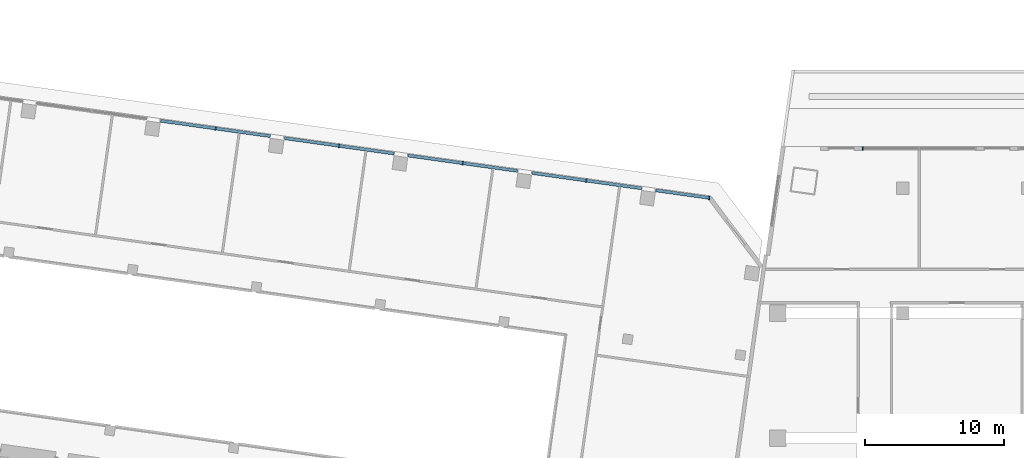
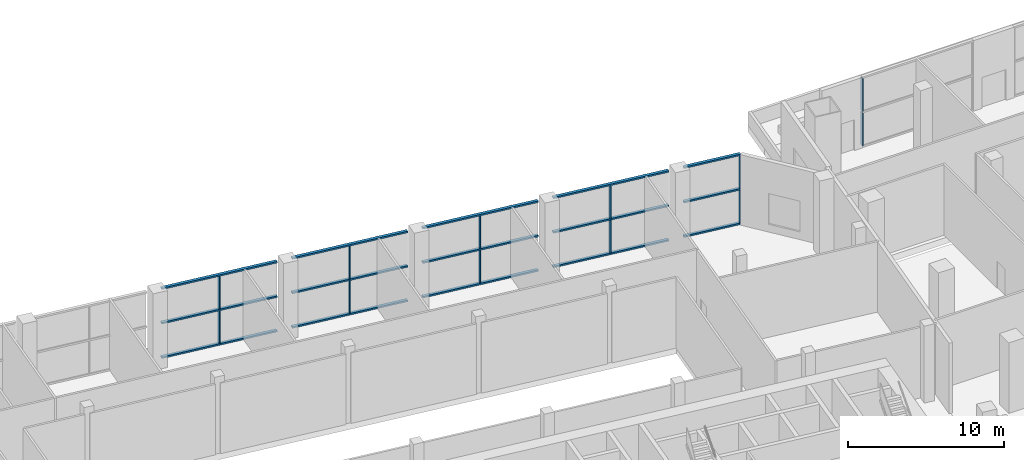
# One storey, part 3 of 24: 27 members, 2 elements without a shape of their own.
"""IFC4 building model written with IfcOpenShell, lengths in metres."""

import ifcopenshell
import ifcopenshell.guid

model = None  # the IFC model being written
_history = None  # IfcOwnerHistory: only IFC2X3 demands one
_inside = {}  # id of a spatial element -> (the spatial element, [elements in it])
_under = {}  # id of a project, library or spatial element -> (it, [spatial elements below it])
_declared = {}  # id of a project -> (the project, [libraries it declares])
_typed = {}  # id of a type object -> (the type object, [elements of that type])
_made_of = {}  # id of a material, layer set ... -> (it, [elements and type objects made of it])


def new_model(schema):
    """Start an empty IFC model of exactly this schema.

    Asked for "IFC4X3", IfcOpenShell would pick the latest addendum, in which some entities
    have other attributes; the version numbers below select the first issue.
    IFC2X3 requires an IfcOwnerHistory on every rooted entity: one is made here for all.
    """
    global model, _history
    if schema == "IFC4X3":
        model = ifcopenshell.file(schema_version=(4, 3, 0, 0))
    else:
        model = ifcopenshell.file(schema=schema)
    _inside.clear()
    _under.clear()
    _declared.clear()
    _typed.clear()
    _made_of.clear()
    _history = None
    if model.schema == "IFC2X3":
        org = make("IfcOrganization", Name="unknown")
        user = make(
            "IfcPersonAndOrganization",
            ThePerson=make("IfcPerson", FamilyName="unknown"),
            TheOrganization=org,
        )
        app = make(
            "IfcApplication",
            ApplicationDeveloper=org,
            Version="unknown",
            ApplicationFullName="unknown",
            ApplicationIdentifier="unknown",
        )
        _history = make(
            "IfcOwnerHistory",
            OwningUser=user,
            OwningApplication=app,
            ChangeAction="ADDED",
            CreationDate=0,
        )
    return model


def make(cls, **values):
    """One entity of the class cls with the attributes given. An attribute that is None is left unset."""
    return model.create_entity(
        cls, **{name: value for name, value in values.items() if value is not None}
    )


def rooted(cls, **values):
    """An entity with a GlobalId (a new one), such as an element, a storey or a relation."""
    return make(cls, GlobalId=ifcopenshell.guid.new(), OwnerHistory=_history, **values)


def si_unit(unit_type, name, prefix=None):
    """IfcSIUnit, for example si_unit("LENGTHUNIT", "METRE", prefix="MILLI")."""
    return make("IfcSIUnit", UnitType=unit_type, Prefix=prefix, Name=name)


def assignment(units):
    """IfcUnitAssignment: the units of a project."""
    return None if units is None else make("IfcUnitAssignment", Units=units)


def point(xyz):
    """IfcCartesianPoint."""
    return None if xyz is None else make("IfcCartesianPoint", Coordinates=xyz)


def direction(xyz):
    """IfcDirection."""
    return None if xyz is None else make("IfcDirection", DirectionRatios=xyz)


def frame(location, z_axis=None, x_axis=None):
    """IfcAxis2Placement3D, a coordinate frame: its origin and axes. An axis left out is left unset."""
    return make(
        "IfcAxis2Placement3D",
        Location=point(location),
        Axis=direction(z_axis),
        RefDirection=direction(x_axis),
    )


def frame_2d(location, x_axis=None):
    """IfcAxis2Placement2D, a coordinate frame in the plane: its origin and x axis."""
    return make(
        "IfcAxis2Placement2D", Location=point(location), RefDirection=direction(x_axis)
    )


def origin():
    """The frame at (0, 0, 0) with its axes left unset."""
    return frame((0.0, 0.0, 0.0))


def origin_2d():
    """The frame at (0, 0) in the plane with its x axis left unset."""
    return frame_2d((0.0, 0.0))


def place(relative_to, where):
    """IfcLocalPlacement: puts the frame where relative to a parent placement (None: the world)."""
    return make(
        "IfcLocalPlacement", PlacementRelTo=relative_to, RelativePlacement=where
    )


def context(
    kind, dimensions, precision=None, world=None, true_north=None, identifier=None
):
    """IfcGeometricRepresentationContext, for example the 3D "Model" context."""
    return make(
        "IfcGeometricRepresentationContext",
        ContextIdentifier=identifier,
        ContextType=kind,
        CoordinateSpaceDimension=dimensions,
        Precision=precision,
        WorldCoordinateSystem=world,
        TrueNorth=true_north,
    )


def subcontext(parent, identifier, kind, view, scale=None):
    """IfcGeometricRepresentationSubContext, for example "Body" below "Model"."""
    return make(
        "IfcGeometricRepresentationSubContext",
        ContextIdentifier=identifier,
        ContextType=kind,
        ParentContext=parent,
        TargetScale=scale,
        TargetView=view,
    )


def project(units=None, contexts=None):
    """IfcProject with its units and contexts."""
    return rooted(
        "IfcProject",
        Name="project",
        RepresentationContexts=contexts,
        UnitsInContext=assignment(units),
    )


def spatial(cls, under=None, at=None, **own):
    """A site, building, storey or space (cls), placed at a placement, below another one or the project."""
    s = rooted(cls, ObjectPlacement=at, **own)
    if under is not None:
        _under.setdefault(under.id(), (under, []))[1].append(s)
    return s


def profile(cls, at=None, kind="AREA", **sizes):
    """A parametric profile (cls). Its sizes go by their IFC names, for example OverallWidth=200.0."""
    return make(cls, ProfileType=kind, Position=at, **sizes)


def rectangle(**sizes):
    """IfcRectangleProfileDef."""
    return profile("IfcRectangleProfileDef", **sizes)


def extrude(swept, where, along, depth):
    """IfcExtrudedAreaSolid: the profile swept, set in the frame where, extruded along a direction by depth."""
    return make(
        "IfcExtrudedAreaSolid",
        SweptArea=swept,
        Position=where,
        ExtrudedDirection=direction(along),
        Depth=depth,
    )


def shape(context_of_items, identifier, shape_type, items):
    """IfcShapeRepresentation: the items that make up one representation, for example the "Body"."""
    return make(
        "IfcShapeRepresentation",
        ContextOfItems=context_of_items,
        RepresentationIdentifier=identifier,
        RepresentationType=shape_type,
        Items=items,
    )


def material(Name=None, Category=None):
    """IfcMaterial."""
    return make("IfcMaterial", Name=Name, Category=Category)


def material_profile(
    of_material, cross_section, Name=None, Category=None, Priority=None
):
    """IfcMaterialProfile: a cross section and its material."""
    return make(
        "IfcMaterialProfile",
        Name=Name,
        Material=of_material,
        Profile=cross_section,
        Priority=Priority,
        Category=Category,
    )


def profile_set(profiles, Name=None, composite=None):
    """IfcMaterialProfileSet."""
    return make(
        "IfcMaterialProfileSet",
        Name=Name,
        MaterialProfiles=profiles,
        CompositeProfile=composite,
    )


def made_of(thing, what):
    """Note that an element or type object is made of a material, layer set ...; save() writes the relation."""
    if what is not None:
        _made_of.setdefault(what.id(), (what, []))[1].append(thing)
    return thing


def type_object(cls, material=None, **own):
    """A type object (cls), such as IfcWallType, which elements share."""
    return made_of(rooted(cls, **own), material)


def element(
    cls,
    number,
    at=None,
    inside=None,
    cuts=None,
    type_object=None,
    material=None,
    context=None,
    identifier="Body",
    shape_type=None,
    held_by="IfcProductDefinitionShape",
    body=None,
    shapes=None,
    **own,
):
    """One element of the class cls, such as IfcWall. Its Tag is "e" and its number.

    at: its placement. inside: the storey or other place that contains it. cuts: it is an
    opening in that element (IfcRelVoidsElement). A single representation is given by context,
    identifier, shape_type and body (its items); several are given by shapes. held_by: the class
    of the entity that holds the representations. save() writes the other relations.
    """
    e = rooted(cls, Tag="e%d" % number, ObjectPlacement=at, **own)
    if body is not None:
        shapes = [shape(context, identifier, shape_type, body)]
    if shapes is not None:
        e.Representation = make(held_by, Representations=shapes)
    if inside is not None:
        _inside.setdefault(inside.id(), (inside, []))[1].append(e)
    if cuts is not None:
        rooted(
            "IfcRelVoidsElement", RelatingBuildingElement=cuts, RelatedOpeningElement=e
        )
    if type_object is not None:
        _typed.setdefault(type_object.id(), (type_object, []))[1].append(e)
    return made_of(e, material)


def aggregate(whole, parts):
    """IfcRelAggregates: a whole, such as a stair, and the parts it consists of."""
    return rooted("IfcRelAggregates", RelatingObject=whole, RelatedObjects=parts)


def save(model, path):
    """Write the relations noted so far, then the file.

    IfcRelAggregates (storeys below a building ...), IfcRelContainedInSpatialStructure (elements
    in a storey), IfcRelDefinesByType, IfcRelAssociatesMaterial and IfcRelDeclares: one each for
    every whole, place, type object, material and project.
    """
    for whole, parts in _under.values():
        aggregate(whole, parts)
    for where, things in _inside.values():
        rooted(
            "IfcRelContainedInSpatialStructure",
            RelatedElements=things,
            RelatingStructure=where,
        )
    for kind, things in _typed.values():
        rooted("IfcRelDefinesByType", RelatedObjects=things, RelatingType=kind)
    for what, things in _made_of.values():
        rooted("IfcRelAssociatesMaterial", RelatedObjects=things, RelatingMaterial=what)
    for by, libraries in _declared.values():
        rooted("IfcRelDeclares", RelatingContext=by, RelatedDefinitions=libraries)
    model.write(path)


model = new_model("IFC4")

# Units and contexts
model_context = context("Model", 3, precision=1e-05, world=origin(), true_north=direction((0.0, 1.0)))
body_context = subcontext(model_context, "Body", "Model", "MODEL_VIEW")
ifc_project = project(units=[si_unit("LENGTHUNIT", "METRE"), si_unit("AREAUNIT", "SQUARE_METRE"), si_unit("VOLUMEUNIT", "CUBIC_METRE"), si_unit("PLANEANGLEUNIT", "RADIAN"), si_unit("MASSUNIT", "GRAM", prefix="KILO")], contexts=[model_context])

# Site, building, storey
site_placement = place(None, origin())
site = spatial("IfcSite", under=ifc_project, at=site_placement, CompositionType="ELEMENT")
building_placement = place(site_placement, origin())
building = spatial("IfcBuilding", under=site, at=building_placement, Name="Mirante Cascada Hotel Towers", CompositionType="ELEMENT")
storey_placement = place(building_placement, frame((0.0, 0.0, 17.5)))
storey = spatial("IfcBuildingStorey", under=building, at=storey_placement, Name="L02", CompositionType="ELEMENT", Elevation=17.5)

# Curtain wall, members
ifc_material_1 = material(Name="Aluminium mullion and transom frame with clear laminated glass", Category="aluminium")
curtain_wall_type = type_object("IfcCurtainWallType", Name="Podium curtain wall ECW3", PredefinedType="NOTDEFINED", material=ifc_material_1)
curtain_wall_1_placement = place(storey_placement, origin())
curtain_wall_1 = element("IfcCurtainWall", 1, at=curtain_wall_1_placement, inside=storey, type_object=curtain_wall_type, Name="Front podium glazing T1 L02", PredefinedType="NOTDEFINED")
ifc_material_2 = material(Name="Anodised aluminium extrusion", Category="aluminium")
ifc_material_profile_1 = material_profile(ifc_material_2, rectangle(XDim=0.26, YDim=0.08, at=origin_2d()), Name="ECW3 MULLION 80x260")
ifc_profile_set_1 = profile_set([ifc_material_profile_1], Name="Anodised aluminium extrusion")
member_type_1 = type_object("IfcMemberType", Name="ECW3 mullion 80x260", PredefinedType="MULLION", material=ifc_profile_set_1)
member_1_placement = place(storey_placement, frame((-67.4737, 22.3018, 0.12), z_axis=(0.0, 0.0, 1.0), x_axis=(0.1391731, 0.9902681, 0.0)))
member_1 = element("IfcMember", 2, at=member_1_placement, type_object=member_type_1, Name="ECW3 mullion 7", PredefinedType="MULLION", context=body_context, shape_type="SweptSolid", body=[
    extrude(rectangle(XDim=0.26, YDim=0.08, at=origin_2d()), origin(), (0.0, 0.0, 1.0), 2.57),
])
member_2_placement = place(storey_placement, frame((-67.4737, 22.3018, 2.81), z_axis=(0.0, 0.0, 1.0), x_axis=(0.1391731, 0.9902681, 0.0)))
member_2 = element("IfcMember", 3, at=member_2_placement, type_object=member_type_1, Name="ECW3 mullion 7", PredefinedType="MULLION", context=body_context, shape_type="SweptSolid", body=[
    extrude(rectangle(XDim=0.26, YDim=0.08, at=origin_2d()), origin(), (0.0, 0.0, 1.0), 2.57),
])
member_3_placement = place(storey_placement, frame((-58.5788, 21.0517, 0.12), z_axis=(0.0, 0.0, 1.0), x_axis=(0.1391731, 0.9902681, 0.0)))
member_3 = element("IfcMember", 4, at=member_3_placement, type_object=member_type_1, Name="ECW3 mullion 9", PredefinedType="MULLION", context=body_context, shape_type="SweptSolid", body=[
    extrude(rectangle(XDim=0.26, YDim=0.08, at=origin_2d()), origin(), (0.0, 0.0, 1.0), 2.57),
])
member_4_placement = place(storey_placement, frame((-58.5788, 21.0517, 2.81), z_axis=(0.0, 0.0, 1.0), x_axis=(0.1391731, 0.9902681, 0.0)))
member_4 = element("IfcMember", 5, at=member_4_placement, type_object=member_type_1, Name="ECW3 mullion 9", PredefinedType="MULLION", context=body_context, shape_type="SweptSolid", body=[
    extrude(rectangle(XDim=0.26, YDim=0.08, at=origin_2d()), origin(), (0.0, 0.0, 1.0), 2.57),
])
member_5_placement = place(storey_placement, frame((-49.684, 19.8017, 0.12), z_axis=(0.0, 0.0, 1.0), x_axis=(0.1391731, 0.9902681, 0.0)))
member_5 = element("IfcMember", 6, at=member_5_placement, type_object=member_type_1, Name="ECW3 mullion 11", PredefinedType="MULLION", context=body_context, shape_type="SweptSolid", body=[
    extrude(rectangle(XDim=0.26, YDim=0.08, at=origin_2d()), origin(), (0.0, 0.0, 1.0), 2.57),
])
member_6_placement = place(storey_placement, frame((-49.684, 19.8017, 2.81), z_axis=(0.0, 0.0, 1.0), x_axis=(0.1391731, 0.9902681, 0.0)))
member_6 = element("IfcMember", 7, at=member_6_placement, type_object=member_type_1, Name="ECW3 mullion 11", PredefinedType="MULLION", context=body_context, shape_type="SweptSolid", body=[
    extrude(rectangle(XDim=0.26, YDim=0.08, at=origin_2d()), origin(), (0.0, 0.0, 1.0), 2.57),
])
member_7_placement = place(storey_placement, frame((-40.7892, 18.5516, 0.12), z_axis=(0.0, 0.0, 1.0), x_axis=(0.1391731, 0.9902681, 0.0)))
member_7 = element("IfcMember", 8, at=member_7_placement, type_object=member_type_1, Name="ECW3 mullion 13", PredefinedType="MULLION", context=body_context, shape_type="SweptSolid", body=[
    extrude(rectangle(XDim=0.26, YDim=0.08, at=origin_2d()), origin(), (0.0, 0.0, 1.0), 2.57),
])
member_8_placement = place(storey_placement, frame((-40.7892, 18.5516, 2.81), z_axis=(0.0, 0.0, 1.0), x_axis=(0.1391731, 0.9902681, 0.0)))
member_8 = element("IfcMember", 9, at=member_8_placement, type_object=member_type_1, Name="ECW3 mullion 13", PredefinedType="MULLION", context=body_context, shape_type="SweptSolid", body=[
    extrude(rectangle(XDim=0.26, YDim=0.08, at=origin_2d()), origin(), (0.0, 0.0, 1.0), 2.57),
])
member_9_placement = place(storey_placement, frame((-31.9339, 17.307, 0.12), z_axis=(0.0, 0.0, 1.0), x_axis=(0.1391731, 0.9902681, 0.0)))
member_9 = element("IfcMember", 10, at=member_9_placement, type_object=member_type_1, Name="ECW3 mullion 15", PredefinedType="MULLION", context=body_context, shape_type="SweptSolid", body=[
    extrude(rectangle(XDim=0.26, YDim=0.08, at=origin_2d()), origin(), (0.0, 0.0, 1.0), 2.57),
])
member_10_placement = place(storey_placement, frame((-31.9339, 17.307, 2.81), z_axis=(0.0, 0.0, 1.0), x_axis=(0.1391731, 0.9902681, 0.0)))
member_10 = element("IfcMember", 11, at=member_10_placement, type_object=member_type_1, Name="ECW3 mullion 15", PredefinedType="MULLION", context=body_context, shape_type="SweptSolid", body=[
    extrude(rectangle(XDim=0.26, YDim=0.08, at=origin_2d()), origin(), (0.0, 0.0, 1.0), 2.57),
])

curtain_wall_2_placement = place(storey_placement, origin())
curtain_wall_2 = element("IfcCurtainWall", 12, at=curtain_wall_2_placement, inside=storey, type_object=curtain_wall_type, Name="Podium curtain wall L02 run 4.8", PredefinedType="NOTDEFINED")
member_11_placement = place(storey_placement, frame((-20.869, 20.85, 0.12), z_axis=(0.0, 0.0, 1.0), x_axis=(0.0, -1.0, 0.0)))
member_11 = element("IfcMember", 13, at=member_11_placement, type_object=member_type_1, Name="ECW3 mullion 3", PredefinedType="MULLION", context=body_context, shape_type="SweptSolid", body=[
    extrude(rectangle(XDim=0.26, YDim=0.08, at=origin_2d()), origin(), (0.0, 0.0, 1.0), 2.57),
])
member_12_placement = place(storey_placement, frame((-20.869, 20.85, 2.81), z_axis=(0.0, 0.0, 1.0), x_axis=(0.0, -1.0, 0.0)))
member_12 = element("IfcMember", 14, at=member_12_placement, type_object=member_type_1, Name="ECW3 mullion 3", PredefinedType="MULLION", context=body_context, shape_type="SweptSolid", body=[
    extrude(rectangle(XDim=0.26, YDim=0.08, at=origin_2d()), origin(), (0.0, 0.0, 1.0), 2.57),
])
aggregate(curtain_wall_2, [member_11, member_12])

# Member
ifc_material_3 = material(Name="Anodised aluminium extrusion", Category="aluminium")
ifc_material_profile_2 = material_profile(ifc_material_3, rectangle(XDim=0.22, YDim=0.12, at=origin_2d()), Name="ECW3 TRANSOM 120x220")
ifc_profile_set_2 = profile_set([ifc_material_profile_2], Name="Anodised aluminium extrusion")
member_type_2 = type_object("IfcMemberType", Name="ECW3 transom 120x220", PredefinedType="USERDEFINED", material=ifc_profile_set_2)
member_13_placement = place(storey_placement, frame((-71.4237, 22.857, 0.06), z_axis=(0.9902683, -0.1391715, 0.0), x_axis=(0.1391715, 0.9902683, 0.0)))
member_13 = element("IfcMember", 15, at=member_13_placement, type_object=member_type_2, Name="ECW3 sill transom", ObjectType="TRANSOM", PredefinedType="USERDEFINED", context=body_context, shape_type="SweptSolid", body=[
    extrude(rectangle(XDim=0.22, YDim=0.12, at=origin_2d()), origin(), (0.0, 0.0, 1.0), 7.96),
])

member_14_placement = place(storey_placement, frame((-62.5113, 21.6044, 0.06), z_axis=(0.9902683, -0.1391715, 0.0), x_axis=(0.1391715, 0.9902683, 0.0)))
member_14 = element("IfcMember", 16, at=member_14_placement, type_object=member_type_2, Name="ECW3 sill transom", ObjectType="TRANSOM", PredefinedType="USERDEFINED", context=body_context, shape_type="SweptSolid", body=[
    extrude(rectangle(XDim=0.22, YDim=0.12, at=origin_2d()), origin(), (0.0, 0.0, 1.0), 7.96),
])

member_15_placement = place(storey_placement, frame((-53.5989, 20.3519, 0.06), z_axis=(0.9902666, -0.1391838, 0.0), x_axis=(0.1391838, 0.9902666, 0.0)))
member_15 = element("IfcMember", 17, at=member_15_placement, type_object=member_type_2, Name="ECW3 sill transom", ObjectType="TRANSOM", PredefinedType="USERDEFINED", context=body_context, shape_type="SweptSolid", body=[
    extrude(rectangle(XDim=0.22, YDim=0.12, at=origin_2d()), origin(), (0.0, 0.0, 1.0), 7.96),
])

member_16_placement = place(storey_placement, frame((-44.6865, 19.0993, 0.06), z_axis=(0.9902685, -0.1391698, 0.0), x_axis=(0.1391698, 0.9902685, 0.0)))
member_16 = element("IfcMember", 18, at=member_16_placement, type_object=member_type_2, Name="ECW3 sill transom", ObjectType="TRANSOM", PredefinedType="USERDEFINED", context=body_context, shape_type="SweptSolid", body=[
    extrude(rectangle(XDim=0.22, YDim=0.12, at=origin_2d()), origin(), (0.0, 0.0, 1.0), 7.9601),
])

member_17_placement = place(storey_placement, frame((-35.7741, 17.8467, 0.06), z_axis=(0.9902705, -0.1391555, 0.0), x_axis=(0.1391555, 0.9902705, 0.0)))
member_17 = element("IfcMember", 19, at=member_17_placement, type_object=member_type_2, Name="ECW3 sill transom", ObjectType="TRANSOM", PredefinedType="USERDEFINED", context=body_context, shape_type="SweptSolid", body=[
    extrude(rectangle(XDim=0.22, YDim=0.12, at=origin_2d()), origin(), (0.0, 0.0, 1.0), 3.9179),
])

member_18_placement = place(storey_placement, frame((-71.4237, 22.857, 2.75), z_axis=(0.9902683, -0.1391715, 0.0), x_axis=(0.1391715, 0.9902683, 0.0)))
member_18 = element("IfcMember", 20, at=member_18_placement, type_object=member_type_2, Name="ECW3 intermediate transom", ObjectType="TRANSOM", PredefinedType="USERDEFINED", context=body_context, shape_type="SweptSolid", body=[
    extrude(rectangle(XDim=0.22, YDim=0.12, at=origin_2d()), origin(), (0.0, 0.0, 1.0), 7.96),
])

member_19_placement = place(storey_placement, frame((-62.5113, 21.6044, 2.75), z_axis=(0.9902683, -0.1391715, 0.0), x_axis=(0.1391715, 0.9902683, 0.0)))
member_19 = element("IfcMember", 21, at=member_19_placement, type_object=member_type_2, Name="ECW3 intermediate transom", ObjectType="TRANSOM", PredefinedType="USERDEFINED", context=body_context, shape_type="SweptSolid", body=[
    extrude(rectangle(XDim=0.22, YDim=0.12, at=origin_2d()), origin(), (0.0, 0.0, 1.0), 7.96),
])

member_20_placement = place(storey_placement, frame((-53.5989, 20.3519, 2.75), z_axis=(0.9902666, -0.1391838, 0.0), x_axis=(0.1391838, 0.9902666, 0.0)))
member_20 = element("IfcMember", 22, at=member_20_placement, type_object=member_type_2, Name="ECW3 intermediate transom", ObjectType="TRANSOM", PredefinedType="USERDEFINED", context=body_context, shape_type="SweptSolid", body=[
    extrude(rectangle(XDim=0.22, YDim=0.12, at=origin_2d()), origin(), (0.0, 0.0, 1.0), 7.96),
])

member_21_placement = place(storey_placement, frame((-44.6865, 19.0993, 2.75), z_axis=(0.9902685, -0.1391698, 0.0), x_axis=(0.1391698, 0.9902685, 0.0)))
member_21 = element("IfcMember", 23, at=member_21_placement, type_object=member_type_2, Name="ECW3 intermediate transom", ObjectType="TRANSOM", PredefinedType="USERDEFINED", context=body_context, shape_type="SweptSolid", body=[
    extrude(rectangle(XDim=0.22, YDim=0.12, at=origin_2d()), origin(), (0.0, 0.0, 1.0), 7.9601),
])

member_22_placement = place(storey_placement, frame((-35.7741, 17.8467, 2.75), z_axis=(0.9902705, -0.1391555, 0.0), x_axis=(0.1391555, 0.9902705, 0.0)))
member_22 = element("IfcMember", 24, at=member_22_placement, type_object=member_type_2, Name="ECW3 intermediate transom", ObjectType="TRANSOM", PredefinedType="USERDEFINED", context=body_context, shape_type="SweptSolid", body=[
    extrude(rectangle(XDim=0.22, YDim=0.12, at=origin_2d()), origin(), (0.0, 0.0, 1.0), 3.9179),
])

member_23_placement = place(storey_placement, frame((-71.4237, 22.857, 5.44), z_axis=(0.9902683, -0.1391715, 0.0), x_axis=(0.1391715, 0.9902683, 0.0)))
member_23 = element("IfcMember", 25, at=member_23_placement, type_object=member_type_2, Name="ECW3 head transom", ObjectType="TRANSOM", PredefinedType="USERDEFINED", context=body_context, shape_type="SweptSolid", body=[
    extrude(rectangle(XDim=0.22, YDim=0.12, at=origin_2d()), origin(), (0.0, 0.0, 1.0), 7.96),
])

member_24_placement = place(storey_placement, frame((-62.5113, 21.6044, 5.44), z_axis=(0.9902683, -0.1391715, 0.0), x_axis=(0.1391715, 0.9902683, 0.0)))
member_24 = element("IfcMember", 26, at=member_24_placement, type_object=member_type_2, Name="ECW3 head transom", ObjectType="TRANSOM", PredefinedType="USERDEFINED", context=body_context, shape_type="SweptSolid", body=[
    extrude(rectangle(XDim=0.22, YDim=0.12, at=origin_2d()), origin(), (0.0, 0.0, 1.0), 7.96),
])

member_25_placement = place(storey_placement, frame((-53.5989, 20.3519, 5.44), z_axis=(0.9902666, -0.1391838, 0.0), x_axis=(0.1391838, 0.9902666, 0.0)))
member_25 = element("IfcMember", 27, at=member_25_placement, type_object=member_type_2, Name="ECW3 head transom", ObjectType="TRANSOM", PredefinedType="USERDEFINED", context=body_context, shape_type="SweptSolid", body=[
    extrude(rectangle(XDim=0.22, YDim=0.12, at=origin_2d()), origin(), (0.0, 0.0, 1.0), 7.96),
])

member_26_placement = place(storey_placement, frame((-44.6865, 19.0993, 5.44), z_axis=(0.9902685, -0.1391698, 0.0), x_axis=(0.1391698, 0.9902685, 0.0)))
member_26 = element("IfcMember", 28, at=member_26_placement, type_object=member_type_2, Name="ECW3 head transom", ObjectType="TRANSOM", PredefinedType="USERDEFINED", context=body_context, shape_type="SweptSolid", body=[
    extrude(rectangle(XDim=0.22, YDim=0.12, at=origin_2d()), origin(), (0.0, 0.0, 1.0), 7.9601),
])

member_27_placement = place(storey_placement, frame((-35.7741, 17.8467, 5.44), z_axis=(0.9902705, -0.1391555, 0.0), x_axis=(0.1391555, 0.9902705, 0.0)))
member_27 = element("IfcMember", 29, at=member_27_placement, type_object=member_type_2, Name="ECW3 head transom", ObjectType="TRANSOM", PredefinedType="USERDEFINED", context=body_context, shape_type="SweptSolid", body=[
    extrude(rectangle(XDim=0.22, YDim=0.12, at=origin_2d()), origin(), (0.0, 0.0, 1.0), 3.9179),
])

aggregate(curtain_wall_1, [member_13, member_14, member_15, member_16, member_17, member_18, member_19, member_20, member_21, member_22, member_23, member_24, member_25, member_26, member_27, member_1, member_2, member_3, member_4, member_5, member_6, member_7, member_8, member_9, member_10])

save(model, "model.ifc")
